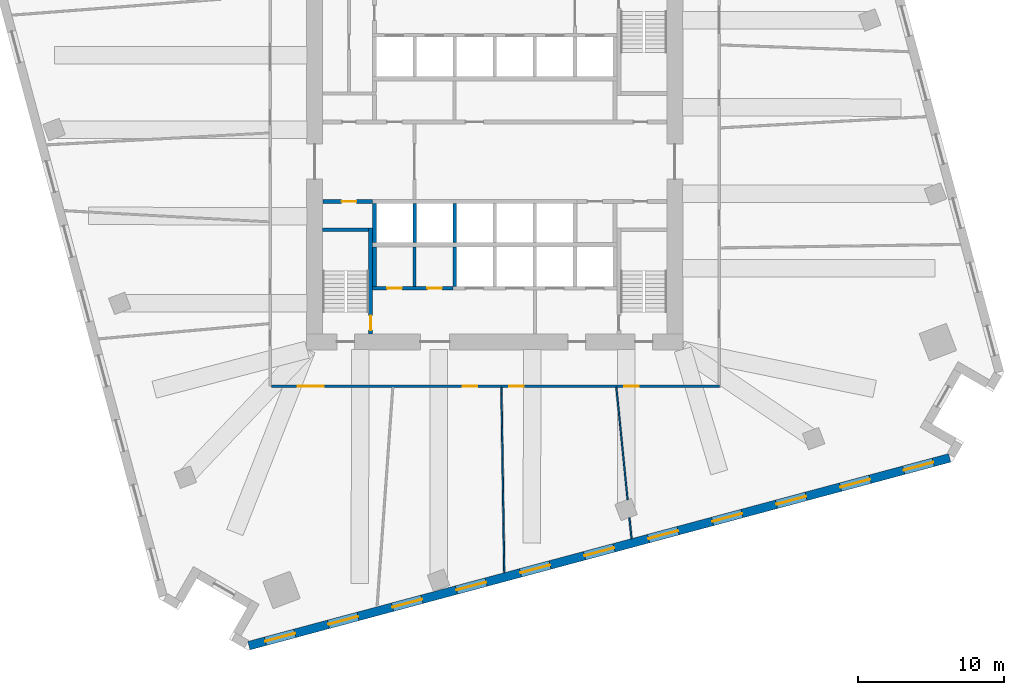
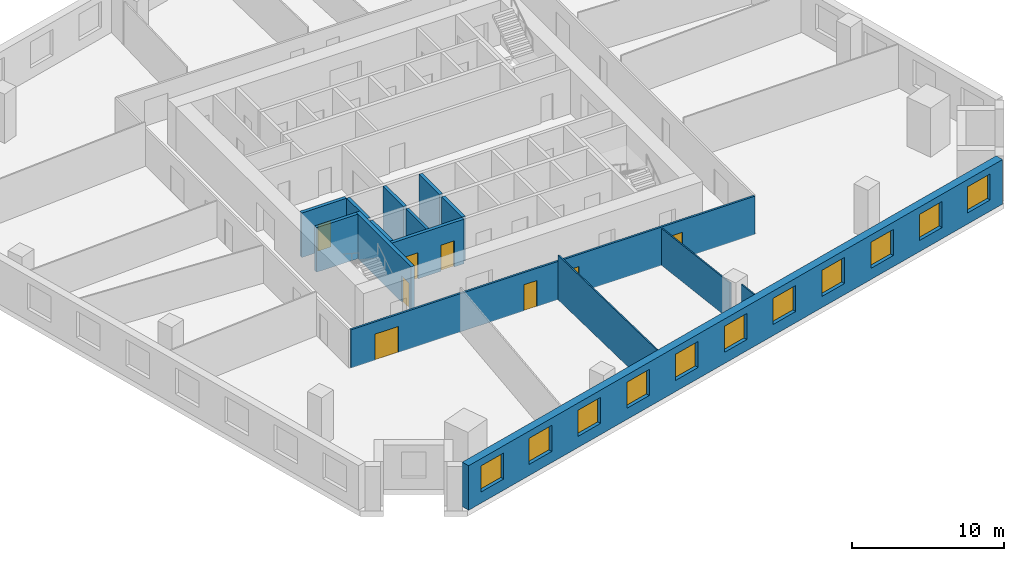
# One storey, part 4 of 11: 15 walls, 11 windows, 8 doors, 19 openings.
"""IFC4 building model written with IfcOpenShell, lengths in metres."""

from ifc_helpers import new_model, si_unit, direction, frame, frame_2d, origin, place, context, subcontext, project, spatial, rectangle, extrude, material, layer, layer_set, type_object, element, fill, save


model = new_model("IFC4")

# Units and contexts
model_context = context("Model", 3, precision=1e-05, world=origin(), true_north=direction((0.0, 1.0)))
body_context = subcontext(model_context, "Body", "Model", "MODEL_VIEW")
ifc_project = project(units=[si_unit("LENGTHUNIT", "METRE"), si_unit("AREAUNIT", "SQUARE_METRE"), si_unit("VOLUMEUNIT", "CUBIC_METRE"), si_unit("PLANEANGLEUNIT", "RADIAN"), si_unit("MASSUNIT", "GRAM", prefix="KILO")], contexts=[model_context])

# Site, building, storey
site_placement = place(None, origin())
site = spatial("IfcSite", under=ifc_project, at=site_placement, CompositionType="ELEMENT")
building_placement = place(site_placement, origin())
building = spatial("IfcBuilding", under=site, at=building_placement, Name="Dilmun Exchange Tower", CompositionType="ELEMENT")
storey_placement = place(building_placement, frame((0.0, 0.0, 82.10009765625)))
storey = spatial("IfcBuildingStorey", under=building, at=storey_placement, Name="L18", CompositionType="ELEMENT", Elevation=82.10009765625)

# Wall
ifc_material_1 = material(Name="Concrete C40/50", Category="concrete")
ifc_layer_1 = layer(ifc_material_1, 0.199951171875)
ifc_layer_set_1 = layer_set([ifc_layer_1], Name="Concrete C40/50")
wall_type_1 = type_object("IfcWallType", Name="Core partition wall 200", PredefinedType="PARTITIONING", material=ifc_layer_set_1)
wall_1_placement = place(storey_placement, frame((-5.5, -8.544921875, 0.0), z_axis=(0.0, 0.0, 1.0), x_axis=(0.0, 1.0, 0.0)))
element("IfcWall", 1, at=wall_1_placement, inside=storey, type_object=wall_type_1, Name="L18 core partition wall 04", PredefinedType="PARTITIONING", context=body_context, shape_type="SweptSolid", body=[
    extrude(rectangle(XDim=2.68994140625, YDim=0.199951171875, at=frame_2d((1.344970703125, 0.0))), origin(), (0.0, 0.0, 1.0), 3.579833984375),
])

# Wall, openings, doors
ifc_layer_2 = layer(ifc_material_1, 0.25)
ifc_layer_set_2 = layer_set([ifc_layer_2], Name="Concrete C40/50")
wall_type_2 = type_object("IfcWallType", Name="Core partition wall 250", PredefinedType="PARTITIONING", material=ifc_layer_set_2)
wall_2_placement = place(storey_placement, frame((-8.3701171875, -8.675048828125, 0.0), z_axis=(0.0, 0.0, 1.0), x_axis=(1.0, 0.0, 0.0)))
wall_2 = element("IfcWall", 2, at=wall_2_placement, inside=storey, type_object=wall_type_2, Name="L18 core partition wall 02", PredefinedType="PARTITIONING", context=body_context, shape_type="SweptSolid", body=[
    extrude(rectangle(XDim=5.490234375, YDim=0.25, at=frame_2d((2.7451171875, 0.0))), origin(), (0.0, 0.0, 1.0), 3.579833984375),
])
opening_1_placement = place(wall_2_placement, frame((0.9951171875, 0.0, 0.0)))
opening_1 = element("IfcOpeningElement", 3, at=opening_1_placement, cuts=wall_2, Name="Opening CD4", PredefinedType="OPENING", context=body_context, shape_type="SweptSolid", body=[
    extrude(rectangle(XDim=1.0, YDim=2.10009765625, at=frame_2d((0.5, 1.050048828125))), frame((0.0, 0.135009765625, 0.0), z_axis=(0.0, -1.0, 0.0), x_axis=(1.0, 0.0, 0.0)), (0.0, 0.0, 1.0), 0.27001953125),
])
opening_2_placement = place(wall_2_placement, frame((3.7451171875, 0.0, 0.0)))
opening_2 = element("IfcOpeningElement", 4, at=opening_2_placement, cuts=wall_2, Name="Opening CD4", PredefinedType="OPENING", context=body_context, shape_type="SweptSolid", body=[
    extrude(rectangle(XDim=1.0, YDim=2.10009765625, at=frame_2d((0.5, 1.050048828125))), frame((0.0, 0.135009765625, 0.0), z_axis=(0.0, -1.0, 0.0), x_axis=(1.0, 0.0, 0.0)), (0.0, 0.0, 1.0), 0.27001953125),
])
ifc_material_2 = material(Name="Fire-rated steel door set", Category="steel")
door_type_1 = type_object("IfcDoorType", Name="Core room door 1000x2100", OperationType="SINGLE_SWING_LEFT", PredefinedType="DOOR", material=ifc_material_2)
door_1_placement = place(opening_1_placement, origin())
door_1 = element("IfcDoor", 5, at=door_1_placement, inside=storey, type_object=door_type_1, Name="L18 door Male WC", OperationType="SINGLE_SWING_LEFT", OverallHeight=2.10009765625, OverallWidth=1.0, PredefinedType="DOOR", context=body_context, shape_type="SweptSolid", body=[
    extrude(rectangle(XDim=1.0, YDim=2.10009765625, at=frame_2d((0.5, 1.050048828125))), frame((0.0, 0.02490234375, 0.0), z_axis=(0.0, -1.0, 0.0), x_axis=(1.0, 0.0, 0.0)), (0.0, 0.0, 1.0), 0.050048828125),
])
fill(opening_1, door_1)
door_2_placement = place(opening_2_placement, origin())
door_2 = element("IfcDoor", 6, at=door_2_placement, inside=storey, type_object=door_type_1, Name="L18 door Female WC", OperationType="SINGLE_SWING_LEFT", OverallHeight=2.10009765625, OverallWidth=1.0, PredefinedType="DOOR", context=body_context, shape_type="SweptSolid", body=[
    extrude(rectangle(XDim=1.0, YDim=2.10009765625, at=frame_2d((0.5, 1.050048828125))), frame((0.0, 0.02490234375, 0.0), z_axis=(0.0, -1.0, 0.0), x_axis=(1.0, 0.0, 0.0)), (0.0, 0.0, 1.0), 0.050048828125),
])
fill(opening_2, door_2)

# Wall
wall_3_placement = place(storey_placement, frame((-8.25, -8.544921875, 0.0), z_axis=(0.0, 0.0, 1.0), x_axis=(0.0, 1.0, 0.0)))
element("IfcWall", 7, at=wall_3_placement, inside=storey, type_object=wall_type_2, Name="L18 core partition wall 03", PredefinedType="PARTITIONING", context=body_context, shape_type="SweptSolid", body=[
    extrude(rectangle(XDim=2.68994140625, YDim=0.25, at=frame_2d((1.344970703125, 0.0))), origin(), (0.0, 0.0, 1.0), 3.579833984375),
])

# Wall, opening, door
wall_4_placement = place(storey_placement, frame((-11.794921875, -2.72509765625, 0.0), z_axis=(0.0, 0.0, 1.0), x_axis=(1.0, 0.0, 0.0)))
wall_4 = element("IfcWall", 8, at=wall_4_placement, inside=storey, type_object=wall_type_2, Name="L18 core partition wall 06", PredefinedType="PARTITIONING", context=body_context, shape_type="SweptSolid", body=[
    extrude(rectangle(XDim=3.4150390625, YDim=0.25, at=frame_2d((1.70751953125, 0.0))), origin(), (0.0, 0.0, 1.0), 3.579833984375),
])
opening_3_placement = place(wall_4_placement, frame((1.294921875, 0.0, 0.0)))
opening_3 = element("IfcOpeningElement", 9, at=opening_3_placement, cuts=wall_4, Name="Opening CD4", PredefinedType="OPENING", context=body_context, shape_type="SweptSolid", body=[
    extrude(rectangle(XDim=1.0, YDim=2.10009765625, at=frame_2d((0.5, 1.050048828125))), frame((0.0, 0.135009765625, 0.0), z_axis=(0.0, -1.0, 0.0), x_axis=(1.0, 0.0, 0.0)), (0.0, 0.0, 1.0), 0.27001953125),
])
door_3_placement = place(opening_3_placement, origin())
door_3 = element("IfcDoor", 10, at=door_3_placement, inside=storey, type_object=door_type_1, Name="L18 door Accessible WC", OperationType="SINGLE_SWING_LEFT", OverallHeight=2.10009765625, OverallWidth=1.0, PredefinedType="DOOR", context=body_context, shape_type="SweptSolid", body=[
    extrude(rectangle(XDim=1.0, YDim=2.10009765625, at=frame_2d((0.5, 1.050048828125))), frame((0.0, 0.02490234375, 0.0), z_axis=(0.0, -1.0, 0.0), x_axis=(1.0, 0.0, 0.0)), (0.0, 0.0, 1.0), 0.050048828125),
])
fill(opening_3, door_3)

# Wall, openings, doors
ifc_material_3 = material(Name="Corridor wall 150")
ifc_layer_3 = layer(ifc_material_3, 0.14990234375)
ifc_layer_set_3 = layer_set([ifc_layer_3], Name="Corridor wall 150")
wall_type_3 = type_object("IfcWallType", Name="Corridor wall 150", PredefinedType="PARTITIONING", material=ifc_layer_set_3)
wall_5_placement = place(storey_placement, frame((-15.324951171875, -15.39990234375, 0.0), z_axis=(0.0, 0.0, 1.0), x_axis=(1.0, 0.0, 0.0)))
wall_5 = element("IfcWall", 11, at=wall_5_placement, inside=storey, type_object=wall_type_3, Name="Corridor wall", PredefinedType="PARTITIONING", context=body_context, shape_type="SweptSolid", body=[
    extrude(rectangle(XDim=30.724853515625, YDim=0.14990234375, at=frame_2d((15.3623046875, 0.0))), origin(), (0.0, 0.0, 1.0), 3.079833984375),
])
opening_4_placement = place(wall_5_placement, frame((1.800048828125, 0.0, 0.0)))
opening_4 = element("IfcOpeningElement", 12, at=opening_4_placement, cuts=wall_5, Name="Opening TF18-D07", PredefinedType="OPENING", context=body_context, shape_type="SweptSolid", body=[
    extrude(rectangle(XDim=1.800048828125, YDim=2.10009765625, at=frame_2d((0.89990234375, 1.050048828125))), frame((0.0, 0.0849609375, 0.0), z_axis=(0.0, -1.0, 0.0), x_axis=(1.0, 0.0, 0.0)), (0.0, 0.0, 1.0), 0.169921875),
])
opening_5_placement = place(wall_5_placement, frame((13.13427734375, 0.0, 0.0)))
opening_5 = element("IfcOpeningElement", 13, at=opening_5_placement, cuts=wall_5, Name="Opening TF18-D10", PredefinedType="OPENING", context=body_context, shape_type="SweptSolid", body=[
    extrude(rectangle(XDim=1.0, YDim=2.10009765625, at=frame_2d((0.5, 1.050048828125))), frame((0.0, 0.0849609375, 0.0), z_axis=(0.0, -1.0, 0.0), x_axis=(1.0, 0.0, 0.0)), (0.0, 0.0, 1.0), 0.169921875),
])
opening_6_placement = place(wall_5_placement, frame((16.329345703125, 0.0, 0.0)))
opening_6 = element("IfcOpeningElement", 14, at=opening_6_placement, cuts=wall_5, Name="Opening TF18-D12", PredefinedType="OPENING", context=body_context, shape_type="SweptSolid", body=[
    extrude(rectangle(XDim=1.0, YDim=2.10009765625, at=frame_2d((0.5, 1.050048828125))), frame((0.0, 0.0849609375, 0.0), z_axis=(0.0, -1.0, 0.0), x_axis=(1.0, 0.0, 0.0)), (0.0, 0.0, 1.0), 0.169921875),
])
opening_7_placement = place(wall_5_placement, frame((24.20751953125, 0.0, 0.0)))
opening_7 = element("IfcOpeningElement", 15, at=opening_7_placement, cuts=wall_5, Name="Opening TF18-D17", PredefinedType="OPENING", context=body_context, shape_type="SweptSolid", body=[
    extrude(rectangle(XDim=1.0, YDim=2.10009765625, at=frame_2d((0.5, 1.050048828125))), frame((0.0, 0.0849609375, 0.0), z_axis=(0.0, -1.0, 0.0), x_axis=(1.0, 0.0, 0.0)), (0.0, 0.0, 1.0), 0.169921875),
])
ifc_material_4 = material(Name="Fire door 1000 x 2100")
door_type_2 = type_object("IfcDoorType", Name="Fire door 1000 x 2100", OperationType="NOTDEFINED", PredefinedType="DOOR", material=ifc_material_4)
door_4_placement = place(opening_5_placement, frame((1.0, 0.0, 0.0), z_axis=(0.0, 0.0, 1.0), x_axis=(-1.0, 0.0, 0.0)))
door_4 = element("IfcDoor", 16, at=door_4_placement, inside=storey, type_object=door_type_2, Name="Door TF18-D10", OperationType="SINGLE_SWING_LEFT", OverallHeight=2.10009765625, OverallWidth=1.0, PredefinedType="DOOR", context=body_context, shape_type="SweptSolid", body=[
    extrude(rectangle(XDim=1.0, YDim=2.10009765625, at=frame_2d((0.5, 1.050048828125))), frame((0.0, 0.02490234375, 0.0), z_axis=(0.0, -1.0, 0.0), x_axis=(1.0, 0.0, 0.0)), (0.0, 0.0, 1.0), 0.050048828125),
])
fill(opening_5, door_4)
door_5_placement = place(opening_6_placement, frame((1.0, 0.0, 0.0), z_axis=(0.0, 0.0, 1.0), x_axis=(-1.0, 0.0, 0.0)))
door_5 = element("IfcDoor", 17, at=door_5_placement, inside=storey, type_object=door_type_2, Name="Door TF18-D12", OperationType="SINGLE_SWING_RIGHT", OverallHeight=2.10009765625, OverallWidth=1.0, PredefinedType="DOOR", context=body_context, shape_type="SweptSolid", body=[
    extrude(rectangle(XDim=1.0, YDim=2.10009765625, at=frame_2d((0.5, 1.050048828125))), frame((0.0, 0.02490234375, 0.0), z_axis=(0.0, -1.0, 0.0), x_axis=(1.0, 0.0, 0.0)), (0.0, 0.0, 1.0), 0.050048828125),
])
fill(opening_6, door_5)
door_6_placement = place(opening_7_placement, frame((1.0, 0.0, 0.0), z_axis=(0.0, 0.0, 1.0), x_axis=(-1.0, 0.0, 0.0)))
door_6 = element("IfcDoor", 18, at=door_6_placement, inside=storey, type_object=door_type_2, Name="Door TF18-D17", OperationType="SINGLE_SWING_LEFT", OverallHeight=2.10009765625, OverallWidth=1.0, PredefinedType="DOOR", context=body_context, shape_type="SweptSolid", body=[
    extrude(rectangle(XDim=1.0, YDim=2.10009765625, at=frame_2d((0.5, 1.050048828125))), frame((0.0, 0.02490234375, 0.0), z_axis=(0.0, -1.0, 0.0), x_axis=(1.0, 0.0, 0.0)), (0.0, 0.0, 1.0), 0.050048828125),
])
fill(opening_7, door_6)
ifc_material_5 = material(Name="Fire door pair 1800 x 2100")
door_type_3 = type_object("IfcDoorType", Name="Fire door pair 1800 x 2100", OperationType="NOTDEFINED", PredefinedType="DOOR", material=ifc_material_5)
door_7_placement = place(opening_4_placement, frame((1.800048828125, 0.0, 0.0), z_axis=(0.0, 0.0, 1.0), x_axis=(-1.0, 0.0, 0.0)))
door_7 = element("IfcDoor", 19, at=door_7_placement, inside=storey, type_object=door_type_3, Name="Door TF18-D07", OperationType="DOUBLE_DOOR_SINGLE_SWING", OverallHeight=2.10009765625, OverallWidth=1.800048828125, PredefinedType="DOOR", context=body_context, shape_type="SweptSolid", body=[
    extrude(rectangle(XDim=1.800048828125, YDim=2.10009765625, at=frame_2d((0.89990234375, 1.050048828125))), frame((0.0, 0.02490234375, 0.0), z_axis=(0.0, -1.0, 0.0), x_axis=(1.0, 0.0, 0.0)), (0.0, 0.0, 1.0), 0.050048828125),
])
fill(opening_4, door_7)

# Walls
ifc_layer_4 = layer(ifc_material_1, 0.25)
ifc_layer_set_4 = layer_set([ifc_layer_4], Name="Concrete C40/50")
wall_type_4 = type_object("IfcWallType", Name="Lift shaft wall 250", PredefinedType="SOLIDWALL", material=ifc_layer_set_4)
for number, where, z_axis, x_axis, name in (
    (20, (-8.25, -5.550048828125, 0.0), (0.0, 0.0, 1.0), (0.0, 1.0, 0.0), "L18 lift shaft divider S10"),
    (21, (-5.5, -5.550048828125, 0.0), (0.0, 0.0, 1.0), (0.0, 1.0, 0.0), "L18 lift shaft divider S11"),
    (22, (-2.75, -5.550048828125, 0.0), (0.0, 0.0, 1.0), (0.0, 1.0, 0.0), "L18 lift shaft divider S12"),
    (23, (-2.75, -8.550048828125, 0.0), (0.0, 0.0, 1.0), (0.0, 1.0, 0.0), "L18 lift shaft divider S22"),
):
    element("IfcWall", number, at=place(storey_placement, frame(where, z_axis=z_axis, x_axis=x_axis)), inside=storey, type_object=wall_type_4, Name=name, PredefinedType="SOLIDWALL", context=body_context, shape_type="SweptSolid", body=[
        extrude(rectangle(XDim=2.699951171875, YDim=0.25, at=frame_2d((1.35009765625, 0.0))), origin(), (0.0, 0.0, 1.0), 3.579833984375),
    ])
ifc_material_6 = material(Name="Partition 100")
ifc_layer_5 = layer(ifc_material_6, 0.10009765625)
ifc_layer_set_5 = layer_set([ifc_layer_5], Name="Partition 100")
wall_type_5 = type_object("IfcWallType", Name="Partition 100", PredefinedType="PARTITIONING", material=ifc_layer_set_5)
wall_6_placement = place(storey_placement, frame((0.455078125, -15.475830078125, 0.0), z_axis=(0.0, 0.0, 1.0), x_axis=(0.015436837746, -0.999880844921, 0.0)))
element("IfcWall", 24, at=wall_6_placement, inside=storey, type_object=wall_type_5, Name="Partition", PredefinedType="PARTITIONING", context=body_context, shape_type="SweptSolid", body=[
    extrude(rectangle(XDim=12.715576171875, YDim=0.10009765625, at=frame_2d((6.35791015625, 0.0))), origin(), (0.0, 0.0, 1.0), 3.579833984375),
])
wall_7_placement = place(storey_placement, frame((8.340087890625, -15.47998046875, 0.0), z_axis=(0.0, 0.0, 1.0), x_axis=(0.09998194497, -0.99498925154, 0.0)))
element("IfcWall", 25, at=wall_7_placement, inside=storey, type_object=wall_type_5, Name="Partition", PredefinedType="PARTITIONING", context=body_context, shape_type="SweptSolid", body=[
    extrude(rectangle(XDim=7.7333984375, YDim=0.10009765625, at=frame_2d((3.86669921875, 0.0))), origin(), (0.0, 0.0, 1.0), 2.9599609375),
])
wall_8_placement = place(storey_placement, frame((9.2373046875, -24.410400390625, 0.0), z_axis=(0.0, 0.0, 1.0), x_axis=(0.100021406051, -0.994985285485, 0.0)))
element("IfcWall", 26, at=wall_8_placement, inside=storey, type_object=wall_type_5, Name="Partition", PredefinedType="PARTITIONING", context=body_context, shape_type="SweptSolid", body=[
    extrude(rectangle(XDim=1.447509765625, YDim=0.10009765625, at=frame_2d((0.7236328125, 0.0))), origin(), (0.0, 0.0, 1.0), 3.579833984375),
])

# Wall, openings, windows
ifc_material_7 = material(Name="Precast concrete C50/60", Category="concrete")
ifc_layer_6 = layer(ifc_material_7, 0.60009765625)
ifc_layer_set_6 = layer_set([ifc_layer_6], Name="Precast concrete C50/60")
wall_type_6 = type_object("IfcWallType", Name="Precast stone-clad wall 600", PredefinedType="STANDARD", material=ifc_layer_set_6)
wall_9_placement = place(storey_placement, frame((-16.85888671875, -33.194580078125, 0.0), z_axis=(0.0, 0.0, 1.0), x_axis=(0.965925643605, 0.258819726887, 0.0)))
wall_9 = element("IfcWall", 27, at=wall_9_placement, inside=storey, type_object=wall_type_6, Name="Facade wall L18-15", PredefinedType="STANDARD", context=body_context, shape_type="SweptSolid", body=[
    extrude(rectangle(XDim=49.751708984375, YDim=0.60009765625, at=frame_2d((24.8759765625, 0.0))), origin(), (0.0, 0.0, 1.0), 3.579833984375),
])
opening_8_placement = place(wall_9_placement, frame((1.16064453125, 0.0, 0.89990234375)))
opening_8 = element("IfcOpeningElement", 28, at=opening_8_placement, cuts=wall_9, Name="Opening W210-210", PredefinedType="OPENING", context=body_context, shape_type="SweptSolid", body=[
    extrude(rectangle(XDim=2.10009765625, YDim=2.10009765625, at=frame_2d((1.050048828125, 1.050048828125))), frame((0.0, 0.31005859375, 0.0), z_axis=(0.0, -1.0, 0.0), x_axis=(1.0, 0.0, 0.0)), (0.0, 0.0, 1.0), 0.6201171875),
])
opening_9_placement = place(wall_9_placement, frame((5.643798828125, 0.0, 0.89990234375)))
opening_9 = element("IfcOpeningElement", 29, at=opening_9_placement, cuts=wall_9, Name="Opening W210-210", PredefinedType="OPENING", context=body_context, shape_type="SweptSolid", body=[
    extrude(rectangle(XDim=2.10009765625, YDim=2.10009765625, at=frame_2d((1.050048828125, 1.050048828125))), frame((0.0, 0.31005859375, 0.0), z_axis=(0.0, -1.0, 0.0), x_axis=(1.0, 0.0, 0.0)), (0.0, 0.0, 1.0), 0.6201171875),
])
opening_10_placement = place(wall_9_placement, frame((10.189453125, 0.0, 0.89990234375)))
opening_10 = element("IfcOpeningElement", 30, at=opening_10_placement, cuts=wall_9, Name="Opening W210-210", PredefinedType="OPENING", context=body_context, shape_type="SweptSolid", body=[
    extrude(rectangle(XDim=2.10009765625, YDim=2.10009765625, at=frame_2d((1.050048828125, 1.050048828125))), frame((0.0, 0.31005859375, 0.0), z_axis=(0.0, -1.0, 0.0), x_axis=(1.0, 0.0, 0.0)), (0.0, 0.0, 1.0), 0.6201171875),
])
opening_11_placement = place(wall_9_placement, frame((14.73486328125, 0.0, 0.89990234375)))
opening_11 = element("IfcOpeningElement", 31, at=opening_11_placement, cuts=wall_9, Name="Opening W210-210", PredefinedType="OPENING", context=body_context, shape_type="SweptSolid", body=[
    extrude(rectangle(XDim=2.10009765625, YDim=2.10009765625, at=frame_2d((1.050048828125, 1.050048828125))), frame((0.0, 0.31005859375, 0.0), z_axis=(0.0, -1.0, 0.0), x_axis=(1.0, 0.0, 0.0)), (0.0, 0.0, 1.0), 0.6201171875),
])
opening_12_placement = place(wall_9_placement, frame((19.2802734375, 0.0, 0.89990234375)))
opening_12 = element("IfcOpeningElement", 32, at=opening_12_placement, cuts=wall_9, Name="Opening W210-210", PredefinedType="OPENING", context=body_context, shape_type="SweptSolid", body=[
    extrude(rectangle(XDim=2.10009765625, YDim=2.10009765625, at=frame_2d((1.050048828125, 1.050048828125))), frame((0.0, 0.31005859375, 0.0), z_axis=(0.0, -1.0, 0.0), x_axis=(1.0, 0.0, 0.0)), (0.0, 0.0, 1.0), 0.6201171875),
])
opening_13_placement = place(wall_9_placement, frame((23.82568359375, 0.0, 0.89990234375)))
opening_13 = element("IfcOpeningElement", 33, at=opening_13_placement, cuts=wall_9, Name="Opening W210-210", PredefinedType="OPENING", context=body_context, shape_type="SweptSolid", body=[
    extrude(rectangle(XDim=2.10009765625, YDim=2.10009765625, at=frame_2d((1.050048828125, 1.050048828125))), frame((0.0, 0.31005859375, 0.0), z_axis=(0.0, -1.0, 0.0), x_axis=(1.0, 0.0, 0.0)), (0.0, 0.0, 1.0), 0.6201171875),
])
opening_14_placement = place(wall_9_placement, frame((28.37109375, 0.0, 0.89990234375)))
opening_14 = element("IfcOpeningElement", 34, at=opening_14_placement, cuts=wall_9, Name="Opening W210-210", PredefinedType="OPENING", context=body_context, shape_type="SweptSolid", body=[
    extrude(rectangle(XDim=2.10009765625, YDim=2.10009765625, at=frame_2d((1.050048828125, 1.050048828125))), frame((0.0, 0.31005859375, 0.0), z_axis=(0.0, -1.0, 0.0), x_axis=(1.0, 0.0, 0.0)), (0.0, 0.0, 1.0), 0.6201171875),
])
opening_15_placement = place(wall_9_placement, frame((32.91650390625, 0.0, 0.89990234375)))
opening_15 = element("IfcOpeningElement", 35, at=opening_15_placement, cuts=wall_9, Name="Opening W210-210", PredefinedType="OPENING", context=body_context, shape_type="SweptSolid", body=[
    extrude(rectangle(XDim=2.10009765625, YDim=2.10009765625, at=frame_2d((1.050048828125, 1.050048828125))), frame((0.0, 0.31005859375, 0.0), z_axis=(0.0, -1.0, 0.0), x_axis=(1.0, 0.0, 0.0)), (0.0, 0.0, 1.0), 0.6201171875),
])
opening_16_placement = place(wall_9_placement, frame((37.462158203125, 0.0, 0.89990234375)))
opening_16 = element("IfcOpeningElement", 36, at=opening_16_placement, cuts=wall_9, Name="Opening W210-210", PredefinedType="OPENING", context=body_context, shape_type="SweptSolid", body=[
    extrude(rectangle(XDim=2.10009765625, YDim=2.10009765625, at=frame_2d((1.050048828125, 1.050048828125))), frame((0.0, 0.31005859375, 0.0), z_axis=(0.0, -1.0, 0.0), x_axis=(1.0, 0.0, 0.0)), (0.0, 0.0, 1.0), 0.6201171875),
])
opening_17_placement = place(wall_9_placement, frame((42.007568359375, 0.0, 0.89990234375)))
opening_17 = element("IfcOpeningElement", 37, at=opening_17_placement, cuts=wall_9, Name="Opening W210-210", PredefinedType="OPENING", context=body_context, shape_type="SweptSolid", body=[
    extrude(rectangle(XDim=2.10009765625, YDim=2.10009765625, at=frame_2d((1.050048828125, 1.050048828125))), frame((0.0, 0.31005859375, 0.0), z_axis=(0.0, -1.0, 0.0), x_axis=(1.0, 0.0, 0.0)), (0.0, 0.0, 1.0), 0.6201171875),
])
opening_18_placement = place(wall_9_placement, frame((46.490966796875, 0.0, 0.89990234375)))
opening_18 = element("IfcOpeningElement", 38, at=opening_18_placement, cuts=wall_9, Name="Opening W210-210", PredefinedType="OPENING", context=body_context, shape_type="SweptSolid", body=[
    extrude(rectangle(XDim=2.10009765625, YDim=2.10009765625, at=frame_2d((1.050048828125, 1.050048828125))), frame((0.0, 0.31005859375, 0.0), z_axis=(0.0, -1.0, 0.0), x_axis=(1.0, 0.0, 0.0)), (0.0, 0.0, 1.0), 0.6201171875),
])
ifc_material_8 = material(Name="Clear low-emissivity glass in aluminium frame", Category="aluminium")
window_type = type_object("IfcWindowType", Name="Punched window 2100 x 2100", PartitioningType="DOUBLE_PANEL_VERTICAL", PredefinedType="WINDOW", material=ifc_material_8)
window_1_placement = place(opening_8_placement, origin())
window_1 = element("IfcWindow", 39, at=window_1_placement, inside=storey, type_object=window_type, Name="Window 16.1", OverallHeight=2.10009765625, OverallWidth=2.10009765625, PartitioningType="SINGLE_PANEL", PredefinedType="WINDOW", context=body_context, shape_type="SweptSolid", body=[
    extrude(rectangle(XDim=2.10009765625, YDim=2.10009765625, at=frame_2d((1.050048828125, 1.050048828125))), frame((0.0, 0.030029296875, 0.0), z_axis=(0.0, -1.0, 0.0), x_axis=(1.0, 0.0, 0.0)), (0.0, 0.0, 1.0), 0.06005859375),
])
fill(opening_8, window_1)
window_2_placement = place(opening_9_placement, origin())
window_2 = element("IfcWindow", 40, at=window_2_placement, inside=storey, type_object=window_type, Name="Window 16.2", OverallHeight=2.10009765625, OverallWidth=2.10009765625, PartitioningType="SINGLE_PANEL", PredefinedType="WINDOW", context=body_context, shape_type="SweptSolid", body=[
    extrude(rectangle(XDim=2.10009765625, YDim=2.10009765625, at=frame_2d((1.050048828125, 1.050048828125))), frame((0.0, 0.030029296875, 0.0), z_axis=(0.0, -1.0, 0.0), x_axis=(1.0, 0.0, 0.0)), (0.0, 0.0, 1.0), 0.06005859375),
])
fill(opening_9, window_2)
window_3_placement = place(opening_10_placement, origin())
window_3 = element("IfcWindow", 41, at=window_3_placement, inside=storey, type_object=window_type, Name="Window 16.3", OverallHeight=2.10009765625, OverallWidth=2.10009765625, PartitioningType="SINGLE_PANEL", PredefinedType="WINDOW", context=body_context, shape_type="SweptSolid", body=[
    extrude(rectangle(XDim=2.10009765625, YDim=2.10009765625, at=frame_2d((1.050048828125, 1.050048828125))), frame((0.0, 0.030029296875, 0.0), z_axis=(0.0, -1.0, 0.0), x_axis=(1.0, 0.0, 0.0)), (0.0, 0.0, 1.0), 0.06005859375),
])
fill(opening_10, window_3)
window_4_placement = place(opening_11_placement, origin())
window_4 = element("IfcWindow", 42, at=window_4_placement, inside=storey, type_object=window_type, Name="Window 16.4", OverallHeight=2.10009765625, OverallWidth=2.10009765625, PartitioningType="SINGLE_PANEL", PredefinedType="WINDOW", context=body_context, shape_type="SweptSolid", body=[
    extrude(rectangle(XDim=2.10009765625, YDim=2.10009765625, at=frame_2d((1.050048828125, 1.050048828125))), frame((0.0, 0.030029296875, 0.0), z_axis=(0.0, -1.0, 0.0), x_axis=(1.0, 0.0, 0.0)), (0.0, 0.0, 1.0), 0.06005859375),
])
fill(opening_11, window_4)
window_5_placement = place(opening_12_placement, origin())
window_5 = element("IfcWindow", 43, at=window_5_placement, inside=storey, type_object=window_type, Name="Window 16.5", OverallHeight=2.10009765625, OverallWidth=2.10009765625, PartitioningType="SINGLE_PANEL", PredefinedType="WINDOW", context=body_context, shape_type="SweptSolid", body=[
    extrude(rectangle(XDim=2.10009765625, YDim=2.10009765625, at=frame_2d((1.050048828125, 1.050048828125))), frame((0.0, 0.030029296875, 0.0), z_axis=(0.0, -1.0, 0.0), x_axis=(1.0, 0.0, 0.0)), (0.0, 0.0, 1.0), 0.06005859375),
])
fill(opening_12, window_5)
window_6_placement = place(opening_13_placement, origin())
window_6 = element("IfcWindow", 44, at=window_6_placement, inside=storey, type_object=window_type, Name="Window 16.6", OverallHeight=2.10009765625, OverallWidth=2.10009765625, PartitioningType="SINGLE_PANEL", PredefinedType="WINDOW", context=body_context, shape_type="SweptSolid", body=[
    extrude(rectangle(XDim=2.10009765625, YDim=2.10009765625, at=frame_2d((1.050048828125, 1.050048828125))), frame((0.0, 0.030029296875, 0.0), z_axis=(0.0, -1.0, 0.0), x_axis=(1.0, 0.0, 0.0)), (0.0, 0.0, 1.0), 0.06005859375),
])
fill(opening_13, window_6)
window_7_placement = place(opening_14_placement, origin())
window_7 = element("IfcWindow", 45, at=window_7_placement, inside=storey, type_object=window_type, Name="Window 16.7", OverallHeight=2.10009765625, OverallWidth=2.10009765625, PartitioningType="SINGLE_PANEL", PredefinedType="WINDOW", context=body_context, shape_type="SweptSolid", body=[
    extrude(rectangle(XDim=2.10009765625, YDim=2.10009765625, at=frame_2d((1.050048828125, 1.050048828125))), frame((0.0, 0.030029296875, 0.0), z_axis=(0.0, -1.0, 0.0), x_axis=(1.0, 0.0, 0.0)), (0.0, 0.0, 1.0), 0.06005859375),
])
fill(opening_14, window_7)
window_8_placement = place(opening_15_placement, origin())
window_8 = element("IfcWindow", 46, at=window_8_placement, inside=storey, type_object=window_type, Name="Window 16.8", OverallHeight=2.10009765625, OverallWidth=2.10009765625, PartitioningType="SINGLE_PANEL", PredefinedType="WINDOW", context=body_context, shape_type="SweptSolid", body=[
    extrude(rectangle(XDim=2.10009765625, YDim=2.10009765625, at=frame_2d((1.050048828125, 1.050048828125))), frame((0.0, 0.030029296875, 0.0), z_axis=(0.0, -1.0, 0.0), x_axis=(1.0, 0.0, 0.0)), (0.0, 0.0, 1.0), 0.06005859375),
])
fill(opening_15, window_8)
window_9_placement = place(opening_16_placement, origin())
window_9 = element("IfcWindow", 47, at=window_9_placement, inside=storey, type_object=window_type, Name="Window 16.9", OverallHeight=2.10009765625, OverallWidth=2.10009765625, PartitioningType="SINGLE_PANEL", PredefinedType="WINDOW", context=body_context, shape_type="SweptSolid", body=[
    extrude(rectangle(XDim=2.10009765625, YDim=2.10009765625, at=frame_2d((1.050048828125, 1.050048828125))), frame((0.0, 0.030029296875, 0.0), z_axis=(0.0, -1.0, 0.0), x_axis=(1.0, 0.0, 0.0)), (0.0, 0.0, 1.0), 0.06005859375),
])
fill(opening_16, window_9)
window_10_placement = place(opening_17_placement, origin())
window_10 = element("IfcWindow", 48, at=window_10_placement, inside=storey, type_object=window_type, Name="Window 16.10", OverallHeight=2.10009765625, OverallWidth=2.10009765625, PartitioningType="SINGLE_PANEL", PredefinedType="WINDOW", context=body_context, shape_type="SweptSolid", body=[
    extrude(rectangle(XDim=2.10009765625, YDim=2.10009765625, at=frame_2d((1.050048828125, 1.050048828125))), frame((0.0, 0.030029296875, 0.0), z_axis=(0.0, -1.0, 0.0), x_axis=(1.0, 0.0, 0.0)), (0.0, 0.0, 1.0), 0.06005859375),
])
fill(opening_17, window_10)
window_11_placement = place(opening_18_placement, origin())
window_11 = element("IfcWindow", 49, at=window_11_placement, inside=storey, type_object=window_type, Name="Window 16.11", OverallHeight=2.10009765625, OverallWidth=2.10009765625, PartitioningType="SINGLE_PANEL", PredefinedType="WINDOW", context=body_context, shape_type="SweptSolid", body=[
    extrude(rectangle(XDim=2.10009765625, YDim=2.10009765625, at=frame_2d((1.050048828125, 1.050048828125))), frame((0.0, 0.030029296875, 0.0), z_axis=(0.0, -1.0, 0.0), x_axis=(1.0, 0.0, 0.0)), (0.0, 0.0, 1.0), 0.06005859375),
])
fill(opening_18, window_11)

# Wall
ifc_layer_7 = layer(ifc_material_1, 0.25)
ifc_layer_set_7 = layer_set([ifc_layer_7], Name="Concrete C40/50")
wall_type_7 = type_object("IfcWallType", Name="Stair end wall 250", PredefinedType="SOLIDWALL", material=ifc_layer_set_7)
wall_10_placement = place(storey_placement, frame((-8.64990234375, -4.675048828125, 0.0), z_axis=(0.0, 0.0, 1.0), x_axis=(-1.0, 0.0, 0.0)))
element("IfcWall", 50, at=wall_10_placement, inside=storey, type_object=wall_type_7, Name="L18 ST2 far wall", PredefinedType="SOLIDWALL", context=body_context, shape_type="SweptSolid", body=[
    extrude(rectangle(XDim=3.150146484375, YDim=0.25, at=frame_2d((1.5751953125, 0.0))), origin(), (0.0, 0.0, 1.0), 3.579833984375),
])

# Wall, opening, door
ifc_layer_8 = layer(ifc_material_1, 0.27490234375)
ifc_layer_set_8 = layer_set([ifc_layer_8], Name="Concrete C40/50")
wall_type_8 = type_object("IfcWallType", Name="Stair wall 275", PredefinedType="SOLIDWALL", material=ifc_layer_set_8)
wall_11_placement = place(storey_placement, frame((-8.512451171875, -4.550048828125, 0.0), z_axis=(0.0, 0.0, 1.0), x_axis=(0.0, -1.0, 0.0)))
wall_11 = element("IfcWall", 51, at=wall_11_placement, inside=storey, type_object=wall_type_8, Name="L18 ST2 wall to lift block", PredefinedType="SOLIDWALL", context=body_context, shape_type="SweptSolid", body=[
    extrude(rectangle(XDim=7.25, YDim=0.27490234375, at=frame_2d((3.625, 0.0))), origin(), (0.0, 0.0, 1.0), 3.579833984375),
])
opening_19_placement = place(wall_11_placement, frame((6.0, 0.0, 0.0)))
opening_19 = element("IfcOpeningElement", 52, at=opening_19_placement, cuts=wall_11, Name="Opening CD4", PredefinedType="OPENING", context=body_context, shape_type="SweptSolid", body=[
    extrude(rectangle(XDim=1.0, YDim=2.10009765625, at=frame_2d((0.5, 1.050048828125))), frame((0.0, 0.1474609375, 0.0), z_axis=(0.0, -1.0, 0.0), x_axis=(1.0, 0.0, 0.0)), (0.0, 0.0, 1.0), 0.294921875),
])
door_8_placement = place(opening_19_placement, origin())
door_8 = element("IfcDoor", 53, at=door_8_placement, inside=storey, type_object=door_type_1, Name="L18 door ST2 from lobby", OperationType="SINGLE_SWING_LEFT", OverallHeight=2.10009765625, OverallWidth=1.0, PredefinedType="DOOR", context=body_context, shape_type="SweptSolid", body=[
    extrude(rectangle(XDim=1.0, YDim=2.10009765625, at=frame_2d((0.5, 1.050048828125))), frame((0.0, 0.02490234375, 0.0), z_axis=(0.0, -1.0, 0.0), x_axis=(1.0, 0.0, 0.0)), (0.0, 0.0, 1.0), 0.050048828125),
])
fill(opening_19, door_8)

save(model, "model.ifc")
